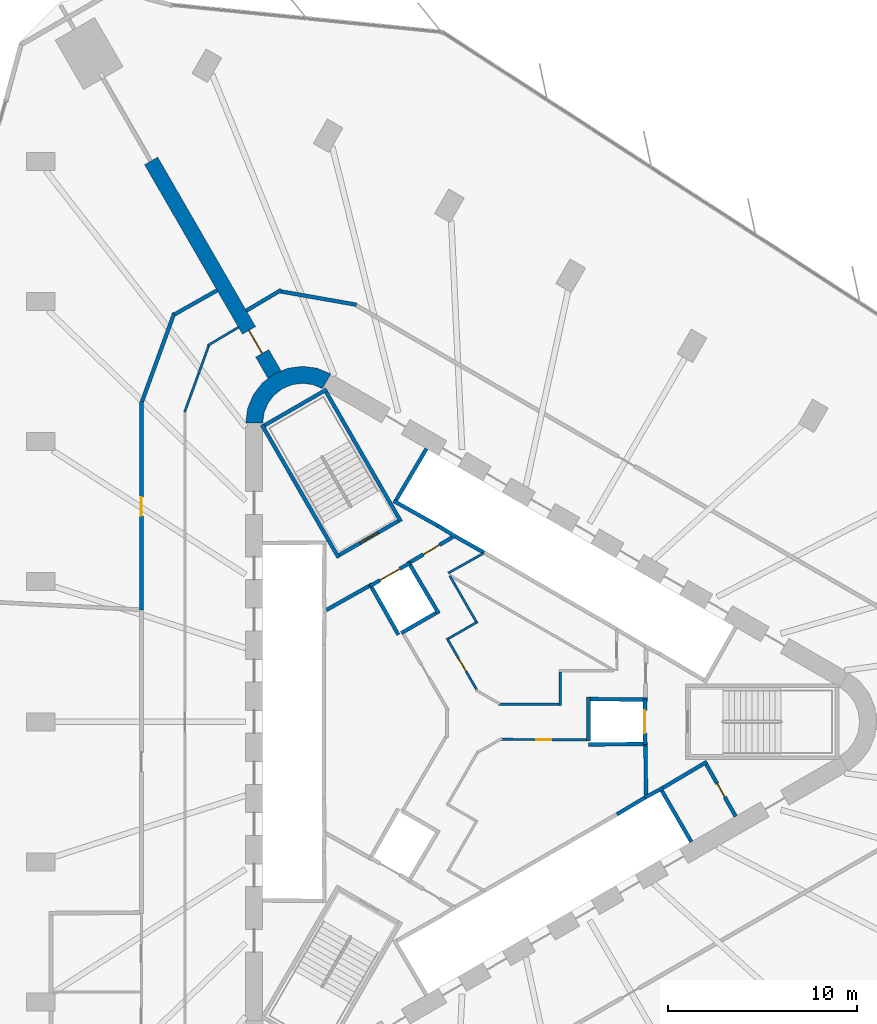
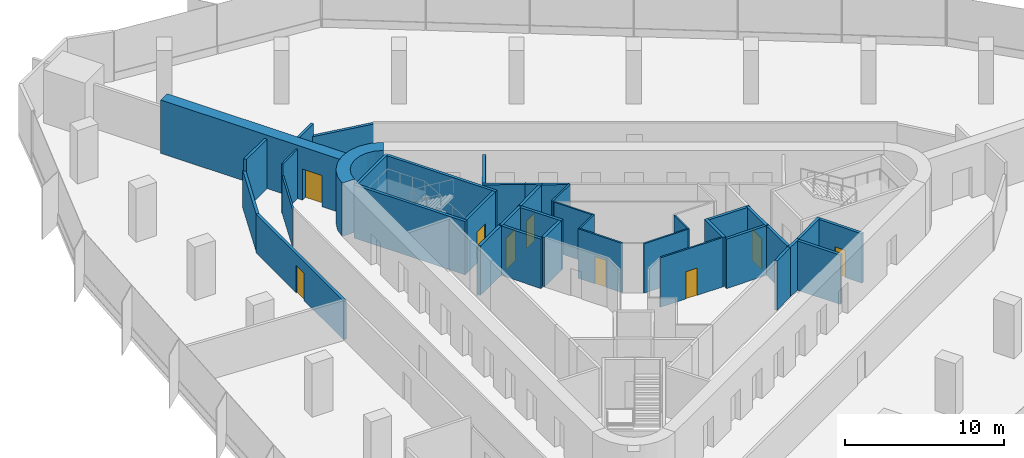
# One storey, part 11 of 14: 40 walls, 9 doors, 9 openings.
"""IFC4 building model written with IfcOpenShell, lengths in metres."""

from ifc_helpers import new_model, si_unit, direction, frame, frame_2d, origin, place, context, subcontext, project, spatial, polyline, rectangle, outline, extrude, material, layer, layer_set, type_object, element, fill, save


model = new_model("IFC4")

# Units and contexts
model_context = context("Model", 3, precision=1e-05, world=origin(), true_north=direction((0.0, 1.0)))
body_context = subcontext(model_context, "Body", "Model", "MODEL_VIEW")
ifc_project = project(units=[si_unit("LENGTHUNIT", "METRE"), si_unit("AREAUNIT", "SQUARE_METRE"), si_unit("VOLUMEUNIT", "CUBIC_METRE"), si_unit("PLANEANGLEUNIT", "RADIAN"), si_unit("MASSUNIT", "GRAM", prefix="KILO")], contexts=[model_context])

# Site, building, storey
site_placement = place(None, origin())
site = spatial("IfcSite", under=ifc_project, at=site_placement, CompositionType="ELEMENT")
building_placement = place(site_placement, origin())
building = spatial("IfcBuilding", under=site, at=building_placement, Name="Tanit Gate Tower", CompositionType="ELEMENT")
storey_placement = place(building_placement, frame((0.0, 0.0, 107.0)))
storey = spatial("IfcBuildingStorey", under=building, at=storey_placement, Name="L22", CompositionType="ELEMENT", Elevation=107.0)

# Wall, opening, door
ifc_material_1 = material(Name="Concrete C60/75", Category="concrete")
ifc_layer_1 = layer(ifc_material_1, 0.800048828125)
ifc_layer_set_1 = layer_set([ifc_layer_1], Name="BUTTRESS FIN 800 C60/75")
wall_type_1 = type_object("IfcWallType", Name="BUTTRESS FIN 800 C60/75", PredefinedType="SHEAR", material=ifc_layer_set_1)
wall_1_placement = place(storey_placement, frame((-10.574951171875, 18.31640625, 0.0), z_axis=(0.0, 0.0, 1.0), x_axis=(-0.500003112169, 0.866023606965, 0.0)))
wall_1 = element("IfcWall", 1, at=wall_1_placement, inside=storey, type_object=wall_type_1, Name="BUTTRESS FIN", PredefinedType="SHEAR", context=body_context, shape_type="SweptSolid", body=[
    extrude(rectangle(XDim=13.02685546875, YDim=0.800048828125, at=frame_2d((6.513427734375, 0.0))), origin(), (0.0, 0.0, 1.0), 4.10009765625),
])
opening_1_placement = place(wall_1_placement, frame((1.300048828125, 0.0, 0.0)))
opening_1 = element("IfcOpeningElement", 2, at=opening_1_placement, cuts=wall_1, Name="Opening P14-S05-F-NW-1", PredefinedType="OPENING", context=body_context, shape_type="SweptSolid", body=[
    extrude(rectangle(XDim=1.39990234375, YDim=2.39990234375, at=frame_2d((0.699951171875, 1.199951171875))), frame((0.0, 0.41015625, 0.0), z_axis=(0.0, -1.0, 0.0), x_axis=(1.0, 0.0, 0.0)), (0.0, 0.0, 1.0), 0.820068359375),
])
ifc_material_2 = material(Name="Timber door leaf", Category="wood")
door_type_1 = type_object("IfcDoorType", Name="INT-DOOR-FIN-PAIR-1400", OperationType="NOTDEFINED", PredefinedType="NOTDEFINED", material=ifc_material_2)
door_1_placement = place(opening_1_placement, origin())
door_1 = element("IfcDoor", 3, at=door_1_placement, inside=storey, type_object=door_type_1, Name="Door P14-S05-F-NW-1", OperationType="DOUBLE_DOOR_SINGLE_SWING", OverallHeight=2.39990234375, OverallWidth=1.39990234375, PredefinedType="NOTDEFINED", context=body_context, shape_type="SweptSolid", body=[
    extrude(rectangle(XDim=1.39990234375, YDim=2.39990234375, at=frame_2d((0.699951171875, 1.199951171875))), frame((0.0, 0.02490234375, 0.0), z_axis=(0.0, -1.0, 0.0), x_axis=(1.0, 0.0, 0.0)), (0.0, 0.0, 1.0), 0.050048828125),
])
fill(opening_1, door_1)

# Walls
ifc_material_3 = material(Name="Concrete C60/75", Category="concrete")
ifc_layer_2 = layer(ifc_material_3, 0.89990234375)
ifc_layer_set_2 = layer_set([ifc_layer_2], Name="CORE WALL 900 C60/75")
wall_type_2 = type_object("IfcWallType", Name="CORE WALL 900 C60/75", PredefinedType="SHEAR", material=ifc_layer_set_2)
wall_2_placement = place(storey_placement, origin())
element("IfcWall", 4, at=wall_2_placement, inside=storey, type_object=wall_type_2, Name="CORE WALL CORNER", PredefinedType="SHEAR", context=body_context, shape_type="SweptSolid", body=[
    extrude(outline(polyline([(-7.60009765625, 18.359619140625), (-8.323486328125, 18.659423828125), (-9.10009765625, 18.76171875), (-9.87646484375, 18.659423828125), (-10.60009765625, 18.359619140625), (-11.22119140625, 17.883056640625), (-11.697998046875, 17.26171875), (-11.997802734375, 16.5380859375), (-12.10009765625, 15.76171875), (-11.199951171875, 15.76171875), (-11.12841796875, 16.30517578125), (-10.918701171875, 16.811767578125), (-10.5849609375, 17.24658203125), (-10.14990234375, 17.580322265625), (-9.6435546875, 17.7900390625), (-9.10009765625, 17.86181640625), (-8.556396484375, 17.7900390625), (-8.050048828125, 17.580322265625), (-7.60009765625, 18.359619140625)])), origin(), (0.0, 0.0, 1.0), 4.10009765625),
])
ifc_material_4 = material(Name="Fire-rated gypsum board partition")
ifc_layer_3 = layer(ifc_material_4, 0.199951171875)
ifc_layer_set_3 = layer_set([ifc_layer_3], Name="INT-WALL-COMPARTMENT")
wall_type_3 = type_object("IfcWallType", Name="INT-WALL-COMPARTMENT", PredefinedType="PARTITIONING", material=ifc_layer_set_3)
wall_3_placement = place(storey_placement, frame((12.244873046875, -2.10888671875, 0.0), z_axis=(0.0, 0.0, 1.0), x_axis=(-0.860414880418, -0.509594185166, 0.0)))
element("IfcWall", 5, at=wall_3_placement, inside=storey, type_object=wall_type_3, Name="Wall Compartment W057", PredefinedType="PARTITIONING", context=body_context, shape_type="SweptSolid", body=[
    extrude(rectangle(XDim=2.7001953125, YDim=0.199951171875, at=frame_2d((1.35009765625, 0.0))), origin(), (0.0, 0.0, 1.0), 3.800048828125),
])

# Wall, opening, door
wall_4_placement = place(storey_placement, frame((13.758056640625, -4.989501953125, 0.0), z_axis=(0.0, 0.0, 1.0), x_axis=(-0.491993409184, 0.87059892334, 0.0)))
wall_4 = element("IfcWall", 6, at=wall_4_placement, inside=storey, type_object=wall_type_3, Name="Wall Compartment W058", PredefinedType="PARTITIONING", context=body_context, shape_type="SweptSolid", body=[
    extrude(rectangle(XDim=3.150146484375, YDim=0.199951171875, at=frame_2d((1.5751953125, 0.0))), origin(), (0.0, 0.0, 1.0), 3.800048828125),
])
opening_2_placement = place(wall_4_placement, frame((1.175048828125, 0.0, 0.0)))
opening_2 = element("IfcOpeningElement", 7, at=opening_2_placement, cuts=wall_4, Name="Opening R08-S05-14", PredefinedType="OPENING", context=body_context, shape_type="SweptSolid", body=[
    extrude(rectangle(XDim=0.800048828125, YDim=2.10009765625, at=frame_2d((0.39990234375, 1.050048828125))), frame((0.0, 0.10986328125, 0.0), z_axis=(0.0, -1.0, 0.0), x_axis=(1.0, 0.0, 0.0)), (0.0, 0.0, 1.0), 0.219970703125),
])
ifc_material_5 = material(Name="Timber door leaf", Category="wood")
door_type_2 = type_object("IfcDoorType", Name="INT-DOOR-RISER-800", OperationType="NOTDEFINED", PredefinedType="USERDEFINED", material=ifc_material_5)
door_2_placement = place(opening_2_placement, origin())
door_2 = element("IfcDoor", 8, at=door_2_placement, inside=storey, type_object=door_type_2, Name="Door R08-S05-14", ObjectType="FIRE DOOR", OperationType="SINGLE_SWING_LEFT", OverallHeight=2.10009765625, OverallWidth=0.800048828125, PredefinedType="USERDEFINED", context=body_context, shape_type="SweptSolid", body=[
    extrude(rectangle(XDim=0.800048828125, YDim=2.10009765625, at=frame_2d((0.39990234375, 1.050048828125))), frame((0.0, 0.02490234375, 0.0), z_axis=(0.0, -1.0, 0.0), x_axis=(1.0, 0.0, 0.0)), (0.0, 0.0, 1.0), 0.050048828125),
])
fill(opening_2, door_2)

# Walls
for number, where, z_axis, x_axis, name in (
    (9, (9.02880859375, -3.8505859375, 0.0), (0.0, 0.0, 1.0), (-0.010784614026, 0.999941844359, 0.0), "Wall Compartment W059"),
    (10, (-5.600341796875, 7.16015625, 0.0), (0.0, 0.0, 1.0), (-0.871340486379, -0.490678873396, 0.0), "Wall Compartment W061"),
):
    element("IfcWall", number, at=place(storey_placement, frame(where, z_axis=z_axis, x_axis=x_axis)), inside=storey, type_object=wall_type_3, Name=name, PredefinedType="PARTITIONING", context=body_context, shape_type="SweptSolid", body=[
        extrude(rectangle(XDim=2.580810546875, YDim=0.199951171875, at=frame_2d((1.29052734375, 0.0))), origin(), (0.0, 0.0, 1.0), 3.800048828125),
    ])

# Wall, opening, door
wall_5_placement = place(storey_placement, frame((-1.179443359375, 9.74462890625, 0.0), z_axis=(0.0, 0.0, 1.0), x_axis=(-0.860598681535, -0.509283721849, 0.0)))
wall_5 = element("IfcWall", 11, at=wall_5_placement, inside=storey, type_object=wall_type_3, Name="Wall Compartment W062", PredefinedType="PARTITIONING", context=body_context, shape_type="SweptSolid", body=[
    extrude(rectangle(XDim=2.5810546875, YDim=0.199951171875, at=frame_2d((1.29052734375, 0.0))), origin(), (0.0, 0.0, 1.0), 3.800048828125),
])
opening_3_placement = place(wall_5_placement, frame((0.79052734375, 0.0, 0.0)))
opening_3 = element("IfcOpeningElement", 12, at=opening_3_placement, cuts=wall_5, Name="Opening F10-S05-05", PredefinedType="OPENING", context=body_context, shape_type="SweptSolid", body=[
    extrude(rectangle(XDim=1.0, YDim=2.10009765625, at=frame_2d((0.5, 1.050048828125))), frame((0.0, 0.10986328125, 0.0), z_axis=(0.0, -1.0, 0.0), x_axis=(1.0, 0.0, 0.0)), (0.0, 0.0, 1.0), 0.219970703125),
])
ifc_material_6 = material(Name="Fire-rated steel door leaf", Category="steel")
door_type_3 = type_object("IfcDoorType", Name="INT-DOOR-FIRE-1000", OperationType="NOTDEFINED", PredefinedType="USERDEFINED", material=ifc_material_6)
door_3_placement = place(opening_3_placement, origin())
door_3 = element("IfcDoor", 13, at=door_3_placement, inside=storey, type_object=door_type_3, Name="Door F10-S05-05", ObjectType="FIRE DOOR", OperationType="SINGLE_SWING_LEFT", OverallHeight=2.10009765625, OverallWidth=1.0, PredefinedType="USERDEFINED", context=body_context, shape_type="SweptSolid", body=[
    extrude(rectangle(XDim=1.0, YDim=2.10009765625, at=frame_2d((0.5, 1.050048828125))), frame((0.0, 0.02490234375, 0.0), z_axis=(0.0, -1.0, 0.0), x_axis=(1.0, 0.0, 0.0)), (0.0, 0.0, 1.0), 0.050048828125),
])
fill(opening_3, door_3)

wall_6_placement = place(storey_placement, frame((-17.60009765625, 16.910888671875, 0.0), z_axis=(0.0, 0.0, 1.0), x_axis=(0.0, -1.0, 0.0)))
wall_6 = element("IfcWall", 14, at=wall_6_placement, inside=storey, type_object=wall_type_3, Name="Wall Compartment W092", PredefinedType="PARTITIONING", context=body_context, shape_type="SweptSolid", body=[
    extrude(rectangle(XDim=11.0224609375, YDim=0.199951171875, at=frame_2d((5.51123046875, 0.0))), origin(), (0.0, 0.0, 1.0), 2.97998046875),
])
opening_4_placement = place(wall_6_placement, frame((5.0498046875, 0.0, 0.0)))
opening_4 = element("IfcOpeningElement", 15, at=opening_4_placement, cuts=wall_6, Name="Opening F10-S05-21", PredefinedType="OPENING", context=body_context, shape_type="SweptSolid", body=[
    extrude(rectangle(XDim=1.0, YDim=2.10009765625, at=frame_2d((0.5, 1.050048828125))), frame((0.0, 0.10986328125, 0.0), z_axis=(0.0, -1.0, 0.0), x_axis=(1.0, 0.0, 0.0)), (0.0, 0.0, 1.0), 0.219970703125),
])
door_4_placement = place(opening_4_placement, origin())
door_4 = element("IfcDoor", 16, at=door_4_placement, inside=storey, type_object=door_type_3, Name="Door F10-S05-21", ObjectType="FIRE DOOR", OperationType="SINGLE_SWING_LEFT", OverallHeight=2.10009765625, OverallWidth=1.0, PredefinedType="USERDEFINED", context=body_context, shape_type="SweptSolid", body=[
    extrude(rectangle(XDim=1.0, YDim=2.10009765625, at=frame_2d((0.5, 1.050048828125))), frame((0.0, 0.02490234375, 0.0), z_axis=(0.0, -1.0, 0.0), x_axis=(1.0, 0.0, 0.0)), (0.0, 0.0, 1.0), 0.050048828125),
])
fill(opening_4, door_4)

# Walls
wall_7_placement = place(storey_placement, frame((-15.864013671875, 21.58056640625, 0.0), z_axis=(0.0, 0.0, 1.0), x_axis=(-0.342030631204, -0.939688803444, 0.0)))
element("IfcWall", 17, at=wall_7_placement, inside=storey, type_object=wall_type_3, Name="Wall Compartment W093", PredefinedType="PARTITIONING", context=body_context, shape_type="SweptSolid", body=[
    extrude(rectangle(XDim=4.975830078125, YDim=0.199951171875, at=frame_2d((2.48779296875, 0.0))), origin(), (0.0, 0.0, 1.0), 2.8798828125),
])
wall_8_placement = place(storey_placement, frame((-13.6064453125, 22.76708984375, 0.0), z_axis=(0.0, 0.0, 1.0), x_axis=(-0.870922595713, -0.491420219645, 0.0)))
element("IfcWall", 18, at=wall_8_placement, inside=storey, type_object=wall_type_3, Name="Wall Compartment W094", PredefinedType="PARTITIONING", context=body_context, shape_type="SweptSolid", body=[
    extrude(rectangle(XDim=2.58935546875, YDim=0.199951171875, at=frame_2d((1.294677734375, 0.0))), origin(), (0.0, 0.0, 1.0), 3.800048828125),
])
wall_9_placement = place(storey_placement, frame((-10.228271484375, 22.786376953125, 0.0), z_axis=(0.0, 0.0, 1.0), x_axis=(-0.859754348804, -0.510707802674, 0.0)))
element("IfcWall", 19, at=wall_9_placement, inside=storey, type_object=wall_type_3, Name="Wall Compartment W099", PredefinedType="PARTITIONING", context=body_context, shape_type="SweptSolid", body=[
    extrude(rectangle(XDim=2.135498046875, YDim=0.199951171875, at=frame_2d((1.06787109375, 0.0))), origin(), (0.0, 0.0, 1.0), 3.800048828125),
])
wall_10_placement = place(storey_placement, frame((-6.25048828125, 22.008056640625, 0.0), z_axis=(0.0, 0.0, 1.0), x_axis=(-0.984810577443, 0.173632158762, 0.0)))
element("IfcWall", 20, at=wall_10_placement, inside=storey, type_object=wall_type_3, Name="Wall Compartment W100", PredefinedType="PARTITIONING", context=body_context, shape_type="SweptSolid", body=[
    extrude(rectangle(XDim=4.091796875, YDim=0.199951171875, at=frame_2d((2.0458984375, 0.0))), origin(), (0.0, 0.0, 1.0), 2.8798828125),
])

# Wall, opening, door
ifc_material_7 = material(Name="Gypsum board partition")
ifc_layer_4 = layer(ifc_material_7, 0.1201171875)
ifc_layer_set_4 = layer_set([ifc_layer_4], Name="INT-WALL-PARTITION")
wall_type_4 = type_object("IfcWallType", Name="INT-WALL-PARTITION", PredefinedType="PARTITIONING", material=ifc_layer_set_4)
wall_11_placement = place(storey_placement, frame((5.89990234375, -0.953857421875, 0.0), z_axis=(0.0, 0.0, 1.0), x_axis=(-0.999979855239, 0.006347370786, 0.0)))
wall_11 = element("IfcWall", 21, at=wall_11_placement, inside=storey, type_object=wall_type_4, Name="Wall Partition W073", PredefinedType="PARTITIONING", context=body_context, shape_type="SweptSolid", body=[
    extrude(rectangle(XDim=4.53857421875, YDim=0.1201171875, at=frame_2d((2.269287109375, 0.0))), origin(), (0.0, 0.0, 1.0), 3.800048828125),
])
opening_5_placement = place(wall_11_placement, frame((1.869384765625, 0.0, 0.0)))
opening_5 = element("IfcOpeningElement", 22, at=opening_5_placement, cuts=wall_11, Name="Opening R08-S05-11", PredefinedType="OPENING", context=body_context, shape_type="SweptSolid", body=[
    extrude(rectangle(XDim=0.800048828125, YDim=2.10009765625, at=frame_2d((0.39990234375, 1.050048828125))), frame((0.0, 0.070068359375, 0.0), z_axis=(0.0, -1.0, 0.0), x_axis=(1.0, 0.0, 0.0)), (0.0, 0.0, 1.0), 0.14013671875),
])
door_5_placement = place(opening_5_placement, origin())
door_5 = element("IfcDoor", 23, at=door_5_placement, inside=storey, type_object=door_type_2, Name="Door R08-S05-11", ObjectType="FIRE DOOR", OperationType="SINGLE_SWING_LEFT", OverallHeight=2.10009765625, OverallWidth=0.800048828125, PredefinedType="USERDEFINED", context=body_context, shape_type="SweptSolid", body=[
    extrude(rectangle(XDim=0.800048828125, YDim=2.10009765625, at=frame_2d((0.39990234375, 1.050048828125))), frame((0.0, 0.02490234375, 0.0), z_axis=(0.0, -1.0, 0.0), x_axis=(1.0, 0.0, 0.0)), (0.0, 0.0, 1.0), 0.050048828125),
])
fill(opening_5, door_5)

# Walls
wall_12_placement = place(storey_placement, frame((0.475341796875, 8.9052734375, 0.0), z_axis=(0.0, 0.0, 1.0), x_axis=(-0.871843519779, -0.489784521009, 0.0)))
element("IfcWall", 24, at=wall_12_placement, inside=storey, type_object=wall_type_4, Name="Wall Partition W075", PredefinedType="PARTITIONING", context=body_context, shape_type="SweptSolid", body=[
    extrude(rectangle(XDim=2.164306640625, YDim=0.1201171875, at=frame_2d((1.08203125, 0.0))), origin(), (0.0, 0.0, 1.0), 3.800048828125),
])
wall_13_placement = place(storey_placement, frame((4.5, 0.864990234375, 0.0), z_axis=(0.0, 0.0, 1.0), x_axis=(0.0, 1.0, 0.0)))
element("IfcWall", 25, at=wall_13_placement, inside=storey, type_object=wall_type_4, Name="Wall Partition W078", PredefinedType="PARTITIONING", context=body_context, shape_type="SweptSolid", body=[
    extrude(rectangle(XDim=1.77490234375, YDim=0.1201171875, at=frame_2d((0.887451171875, 0.0))), origin(), (0.0, 0.0, 1.0), 3.800048828125),
])
wall_14_placement = place(storey_placement, frame((1.238525390625, 0.925048828125, 0.0), z_axis=(0.0, 0.0, 1.0), x_axis=(1.0, 0.0, 0.0)))
element("IfcWall", 26, at=wall_14_placement, inside=storey, type_object=wall_type_4, Name="Wall Partition W079", PredefinedType="PARTITIONING", context=body_context, shape_type="SweptSolid", body=[
    extrude(rectangle(XDim=3.201416015625, YDim=0.1201171875, at=frame_2d((1.6005859375, 0.0))), origin(), (0.0, 0.0, 1.0), 3.800048828125),
])

# Wall, opening, door
wall_15_placement = place(storey_placement, frame((-1.47900390625, 4.41162109375, 0.0), z_axis=(0.0, 0.0, 1.0), x_axis=(0.500013115284, -0.866017831539, 0.0)))
wall_15 = element("IfcWall", 27, at=wall_15_placement, inside=storey, type_object=wall_type_4, Name="Wall Partition W081", PredefinedType="PARTITIONING", context=body_context, shape_type="SweptSolid", body=[
    extrude(rectangle(XDim=3.19921875, YDim=0.1201171875, at=frame_2d((1.599609375, 0.0))), origin(), (0.0, 0.0, 1.0), 3.800048828125),
])
opening_6_placement = place(wall_15_placement, frame((1.2294921875, 0.0, 0.0)))
opening_6 = element("IfcOpeningElement", 28, at=opening_6_placement, cuts=wall_15, Name="Opening R08-S05-13", PredefinedType="OPENING", context=body_context, shape_type="SweptSolid", body=[
    extrude(rectangle(XDim=0.800048828125, YDim=2.10009765625, at=frame_2d((0.39990234375, 1.050048828125))), frame((0.0, 0.070068359375, 0.0), z_axis=(0.0, -1.0, 0.0), x_axis=(1.0, 0.0, 0.0)), (0.0, 0.0, 1.0), 0.14013671875),
])
door_6_placement = place(opening_6_placement, origin())
door_6 = element("IfcDoor", 29, at=door_6_placement, inside=storey, type_object=door_type_2, Name="Door R08-S05-13", ObjectType="FIRE DOOR", OperationType="SINGLE_SWING_RIGHT", OverallHeight=2.10009765625, OverallWidth=0.800048828125, PredefinedType="USERDEFINED", context=body_context, shape_type="SweptSolid", body=[
    extrude(rectangle(XDim=0.800048828125, YDim=2.10009765625, at=frame_2d((0.39990234375, 1.050048828125))), frame((0.0, 0.02490234375, 0.0), z_axis=(0.0, -1.0, 0.0), x_axis=(1.0, 0.0, 0.0)), (0.0, 0.0, 1.0), 0.050048828125),
])
fill(opening_6, door_6)

# Walls
wall_16_placement = place(storey_placement, frame((0.14013671875, 5.277099609375, 0.0), z_axis=(0.0, 0.0, 1.0), x_axis=(-0.866025242659, -0.500000279077, 0.0)))
element("IfcWall", 30, at=wall_16_placement, inside=storey, type_object=wall_type_4, Name="Wall Partition W082", PredefinedType="PARTITIONING", context=body_context, shape_type="SweptSolid", body=[
    extrude(rectangle(XDim=1.77490234375, YDim=0.1201171875, at=frame_2d((0.887451171875, 0.0))), origin(), (0.0, 0.0, 1.0), 3.800048828125),
])
wall_17_placement = place(storey_placement, frame((-1.330078125, 7.703857421875, 0.0), z_axis=(0.0, 0.0, 1.0), x_axis=(0.500006584067, -0.866021602438, 0.0)))
element("IfcWall", 31, at=wall_17_placement, inside=storey, type_object=wall_type_4, Name="Wall Partition W083", PredefinedType="PARTITIONING", context=body_context, shape_type="SweptSolid", body=[
    extrude(rectangle(XDim=2.77685546875, YDim=0.1201171875, at=frame_2d((1.388427734375, 0.0))), origin(), (0.0, 0.0, 1.0), 3.800048828125),
])
wall_18_placement = place(storey_placement, frame((-12.481689453125, 20.819091796875, 0.0), z_axis=(0.0, 0.0, 1.0), x_axis=(-0.85913200524, -0.511754040113, 0.0)))
element("IfcWall", 32, at=wall_18_placement, inside=storey, type_object=wall_type_4, Name="Wall Partition W084", PredefinedType="PARTITIONING", context=body_context, shape_type="SweptSolid", body=[
    extrude(rectangle(XDim=1.87451171875, YDim=0.1201171875, at=frame_2d((0.937255859375, 0.0))), origin(), (0.0, 0.0, 1.0), 3.800048828125),
])
wall_19_placement = place(storey_placement, frame((-14.038330078125, 19.87158203125, 0.0), z_axis=(0.0, 0.0, 1.0), x_axis=(-0.342035870777, -0.939686896313, 0.0)))
element("IfcWall", 33, at=wall_19_placement, inside=storey, type_object=wall_type_4, Name="Wall Partition W085", PredefinedType="PARTITIONING", context=body_context, shape_type="SweptSolid", body=[
    extrude(rectangle(XDim=3.748779296875, YDim=0.1201171875, at=frame_2d((1.87451171875, 0.0))), origin(), (0.0, 0.0, 1.0), 2.8798828125),
])
ifc_material_8 = material(Name="Gypsum shaft wall system")
ifc_layer_5 = layer(ifc_material_8, 0.199951171875)
ifc_layer_set_5 = layer_set([ifc_layer_5], Name="INT-WALL-SHAFT")
wall_type_5 = type_object("IfcWallType", Name="INT-WALL-SHAFT", PredefinedType="PLUMBINGWALL", material=ifc_layer_set_5)
wall_20_placement = place(storey_placement, frame((-1.940673828125, 10.338623046875, 0.0), z_axis=(0.0, 0.0, 1.0), x_axis=(0.850216889117, -0.526432561171, 0.0)))
element("IfcWall", 34, at=wall_20_placement, inside=storey, type_object=wall_type_5, Name="Wall Shaft W019", PredefinedType="PLUMBINGWALL", context=body_context, shape_type="SweptSolid", body=[
    extrude(rectangle(XDim=1.078369140625, YDim=0.199951171875, at=frame_2d((0.5390625, 0.0))), origin(), (0.0, 0.0, 1.0), 3.800048828125),
])
wall_21_placement = place(storey_placement, frame((0.478271484375, 8.928466796875, 0.0), z_axis=(0.0, 0.0, 1.0), x_axis=(-0.871988740738, 0.489525929882, 0.0)))
element("IfcWall", 35, at=wall_21_placement, inside=storey, type_object=wall_type_5, Name="Wall Shaft W020", PredefinedType="PLUMBINGWALL", context=body_context, shape_type="SweptSolid", body=[
    extrude(rectangle(XDim=1.8447265625, YDim=0.199951171875, at=frame_2d((0.92236328125, 0.0))), origin(), (0.0, 0.0, 1.0), 3.800048828125),
])
wall_22_placement = place(storey_placement, frame((-4.296142578125, 11.658935546875, 0.0), z_axis=(0.0, 0.0, 1.0), x_axis=(0.871534483978, -0.490334215854, 0.0)))
element("IfcWall", 36, at=wall_22_placement, inside=storey, type_object=wall_type_5, Name="Wall Shaft W021", PredefinedType="PLUMBINGWALL", context=body_context, shape_type="SweptSolid", body=[
    extrude(rectangle(XDim=2.7001953125, YDim=0.199951171875, at=frame_2d((1.35009765625, 0.0))), origin(), (0.0, 0.0, 1.0), 3.800048828125),
])
wall_23_placement = place(storey_placement, frame((-4.158203125, 11.696044921875, 0.0), z_axis=(0.0, 0.0, 1.0), x_axis=(0.508018930956, 0.861345903683, 0.0)))
element("IfcWall", 37, at=wall_23_placement, inside=storey, type_object=wall_type_5, Name="Wall Shaft W022", PredefinedType="PLUMBINGWALL", context=body_context, shape_type="SweptSolid", body=[
    extrude(rectangle(XDim=3.150146484375, YDim=0.199951171875, at=frame_2d((1.5751953125, 0.0))), origin(), (0.0, 0.0, 1.0), 3.800048828125),
])
wall_24_placement = place(storey_placement, frame((9.794677734375, -3.52490234375, 0.0), z_axis=(0.0, 0.0, 1.0), x_axis=(0.499984717929, -0.866034226713, 0.0)))
element("IfcWall", 38, at=wall_24_placement, inside=storey, type_object=wall_type_5, Name="Wall Shaft W024", PredefinedType="PLUMBINGWALL", context=body_context, shape_type="SweptSolid", body=[
    extrude(rectangle(XDim=3.25, YDim=0.199951171875, at=frame_2d((1.625, 0.0))), origin(), (0.0, 0.0, 1.0), 3.800048828125),
])
wall_25_placement = place(storey_placement, frame((8.97412109375, -3.998779296875, 0.0), z_axis=(0.0, 0.0, 1.0), x_axis=(0.880907015104, 0.473289373154, 0.0)))
element("IfcWall", 39, at=wall_25_placement, inside=storey, type_object=wall_type_5, Name="Wall Shaft W025", PredefinedType="PLUMBINGWALL", context=body_context, shape_type="SweptSolid", body=[
    extrude(rectangle(XDim=1.078125, YDim=0.199951171875, at=frame_2d((0.5390625, 0.0))), origin(), (0.0, 0.0, 1.0), 3.800048828125),
])
wall_26_placement = place(storey_placement, frame((7.497314453125, -4.885986328125, 0.0), z_axis=(0.0, 0.0, 1.0), x_axis=(0.857516281273, 0.51445682749, 0.0)))
element("IfcWall", 40, at=wall_26_placement, inside=storey, type_object=wall_type_5, Name="Wall Shaft W026", PredefinedType="PLUMBINGWALL", context=body_context, shape_type="SweptSolid", body=[
    extrude(rectangle(XDim=1.8447265625, YDim=0.199951171875, at=frame_2d((0.92236328125, 0.0))), origin(), (0.0, 0.0, 1.0), 3.800048828125),
])

# Wall, opening, door
wall_27_placement = place(storey_placement, frame((8.969970703125, 1.199951171875, 0.0), z_axis=(0.0, 0.0, 1.0), x_axis=(0.0, -1.0, 0.0)))
wall_27 = element("IfcWall", 41, at=wall_27_placement, inside=storey, type_object=wall_type_5, Name="Wall Shaft W037", PredefinedType="PLUMBINGWALL", context=body_context, shape_type="SweptSolid", body=[
    extrude(rectangle(XDim=2.39990234375, YDim=0.199951171875, at=frame_2d((1.199951171875, 0.0))), origin(), (0.0, 0.0, 1.0), 3.800048828125),
])
opening_7_placement = place(wall_27_placement, frame((0.60009765625, 0.0, 0.0)))
opening_7 = element("IfcOpeningElement", 42, at=opening_7_placement, cuts=wall_27, Name="Opening LDFL1-L22", PredefinedType="OPENING", context=body_context, shape_type="SweptSolid", body=[
    extrude(rectangle(XDim=1.199951171875, YDim=2.39990234375, at=frame_2d((0.60009765625, 1.199951171875))), frame((0.0, 0.10986328125, 0.0), z_axis=(0.0, -1.0, 0.0), x_axis=(1.0, 0.0, 0.0)), (0.0, 0.0, 1.0), 0.219970703125),
])
ifc_material_9 = material(Name="Stainless steel sliding door leaf", Category="steel")
door_type_4 = type_object("IfcDoorType", Name="INT-DOOR-LANDING-1200", OperationType="NOTDEFINED", PredefinedType="USERDEFINED", material=ifc_material_9)
door_7_placement = place(opening_7_placement, origin())
door_7 = element("IfcDoor", 43, at=door_7_placement, inside=storey, type_object=door_type_4, Name="Door LDFL1-L22", ObjectType="LANDING DOOR", OperationType="SLIDING_TO_LEFT", OverallHeight=2.39990234375, OverallWidth=1.199951171875, PredefinedType="USERDEFINED", context=body_context, shape_type="SweptSolid", body=[
    extrude(rectangle(XDim=1.199951171875, YDim=2.39990234375, at=frame_2d((0.60009765625, 1.199951171875))), frame((0.0, 0.02490234375, 0.0), z_axis=(0.0, -1.0, 0.0), x_axis=(1.0, 0.0, 0.0)), (0.0, 0.0, 1.0), 0.050048828125),
])
fill(opening_7, door_7)

# Walls
wall_28_placement = place(storey_placement, frame((9.10009765625, -1.1689453125, 0.0), z_axis=(0.0, 0.0, 1.0), x_axis=(-0.999949988, -0.010001074852, 0.0)))
element("IfcWall", 44, at=wall_28_placement, inside=storey, type_object=wall_type_5, Name="Wall Shaft W038", PredefinedType="PLUMBINGWALL", context=body_context, shape_type="SweptSolid", body=[
    extrude(rectangle(XDim=3.100341796875, YDim=0.199951171875, at=frame_2d((1.55029296875, 0.0))), origin(), (0.0, 0.0, 1.0), 3.800048828125),
])
wall_29_placement = place(storey_placement, frame((6.0, -1.014404296875, 0.0), z_axis=(0.0, 0.0, 1.0), x_axis=(0.0, 1.0, 0.0)))
element("IfcWall", 45, at=wall_29_placement, inside=storey, type_object=wall_type_5, Name="Wall Shaft W039", PredefinedType="PLUMBINGWALL", context=body_context, shape_type="SweptSolid", body=[
    extrude(rectangle(XDim=2.314453125, YDim=0.199951171875, at=frame_2d((1.1572265625, 0.0))), origin(), (0.0, 0.0, 1.0), 3.800048828125),
])
wall_30_placement = place(storey_placement, frame((9.10009765625, 1.1689453125, 0.0), z_axis=(0.0, 0.0, 1.0), x_axis=(-0.99994990606, 0.010009264196, 0.0)))
element("IfcWall", 46, at=wall_30_placement, inside=storey, type_object=wall_type_5, Name="Wall Shaft W040", PredefinedType="PLUMBINGWALL", context=body_context, shape_type="SweptSolid", body=[
    extrude(rectangle(XDim=3.000244140625, YDim=0.199951171875, at=frame_2d((1.5, 0.0))), origin(), (0.0, 0.0, 1.0), 3.800048828125),
])

# Wall, opening, door
wall_31_placement = place(storey_placement, frame((-5.524169921875, 7.168212890625, 0.0), z_axis=(0.0, 0.0, 1.0), x_axis=(0.866024647952, 0.500001309137, 0.0)))
wall_31 = element("IfcWall", 47, at=wall_31_placement, inside=storey, type_object=wall_type_5, Name="Wall Shaft W045", PredefinedType="PLUMBINGWALL", context=body_context, shape_type="SweptSolid", body=[
    extrude(rectangle(XDim=2.39990234375, YDim=0.199951171875, at=frame_2d((1.199951171875, 0.0))), origin(), (0.0, 0.0, 1.0), 3.800048828125),
])
opening_8_placement = place(wall_31_placement, frame((0.60009765625, 0.0, 0.0)))
opening_8 = element("IfcOpeningElement", 48, at=opening_8_placement, cuts=wall_31, Name="Opening LDFL2-L22", PredefinedType="OPENING", context=body_context, shape_type="SweptSolid", body=[
    extrude(rectangle(XDim=1.199951171875, YDim=2.39990234375, at=frame_2d((0.60009765625, 1.199951171875))), frame((0.0, 0.10986328125, 0.0), z_axis=(0.0, -1.0, 0.0), x_axis=(1.0, 0.0, 0.0)), (0.0, 0.0, 1.0), 0.219970703125),
])
door_8_placement = place(opening_8_placement, origin())
door_8 = element("IfcDoor", 49, at=door_8_placement, inside=storey, type_object=door_type_4, Name="Door LDFL2-L22", ObjectType="LANDING DOOR", OperationType="SLIDING_TO_LEFT", OverallHeight=2.39990234375, OverallWidth=1.199951171875, PredefinedType="USERDEFINED", context=body_context, shape_type="SweptSolid", body=[
    extrude(rectangle(XDim=1.199951171875, YDim=2.39990234375, at=frame_2d((0.60009765625, 1.199951171875))), frame((0.0, 0.02490234375, 0.0), z_axis=(0.0, -1.0, 0.0), x_axis=(1.0, 0.0, 0.0)), (0.0, 0.0, 1.0), 0.050048828125),
])
fill(opening_8, door_8)

# Walls
wall_32_placement = place(storey_placement, frame((-4.039306640625, 4.59619140625, 0.0), z_axis=(0.0, 0.0, 1.0), x_axis=(-0.491322718731, 0.870977603649, 0.0)))
element("IfcWall", 50, at=wall_32_placement, inside=storey, type_object=wall_type_5, Name="Wall Shaft W046", PredefinedType="PLUMBINGWALL", context=body_context, shape_type="SweptSolid", body=[
    extrude(rectangle(XDim=3.10009765625, YDim=0.199951171875, at=frame_2d((1.550048828125, 0.0))), origin(), (0.0, 0.0, 1.0), 3.800048828125),
])
wall_33_placement = place(storey_placement, frame((-3.53759765625, 8.46533203125, 0.0), z_axis=(0.0, 0.0, 1.0), x_axis=(0.508616218331, -0.860993346345, 0.0)))
element("IfcWall", 51, at=wall_33_placement, inside=storey, type_object=wall_type_5, Name="Wall Shaft W047", PredefinedType="PLUMBINGWALL", context=body_context, shape_type="SweptSolid", body=[
    extrude(rectangle(XDim=3.2001953125, YDim=0.199951171875, at=frame_2d((1.60009765625, 0.0))), origin(), (0.0, 0.0, 1.0), 3.800048828125),
])
wall_34_placement = place(storey_placement, frame((-2.04736328125, 5.74609375, 0.0), z_axis=(0.0, 0.0, 1.0), x_axis=(-0.866040491692, -0.499973866067, 0.0)))
element("IfcWall", 52, at=wall_34_placement, inside=storey, type_object=wall_type_5, Name="Wall Shaft W048", PredefinedType="PLUMBINGWALL", context=body_context, shape_type="SweptSolid", body=[
    extrude(rectangle(XDim=2.12939453125, YDim=0.199951171875, at=frame_2d((1.064697265625, 0.0))), origin(), (0.0, 0.0, 1.0), 3.800048828125),
])
ifc_material_10 = material(Name="Concrete C40/50", Category="concrete")
ifc_layer_6 = layer(ifc_material_10, 0.199951171875)
ifc_layer_set_6 = layer_set([ifc_layer_6], Name="INT-WALL-STAIR")
wall_type_6 = type_object("IfcWallType", Name="INT-WALL-STAIR", PredefinedType="SHEAR", material=ifc_layer_set_6)
wall_35_placement = place(storey_placement, frame((-11.245361328125, 15.677734375, -0.300048828125), z_axis=(0.0, 0.0, 1.0), x_axis=(0.499977274689, -0.866038523851, 0.0)))
element("IfcWall", 53, at=wall_35_placement, inside=storey, type_object=wall_type_6, Name="Wall Stair W041", PredefinedType="SHEAR", context=body_context, shape_type="SweptSolid", body=[
    extrude(rectangle(XDim=8.10009765625, YDim=0.199951171875, at=frame_2d((4.050048828125, 0.0))), origin(), (0.0, 0.0, 1.0), 4.10009765625),
])
wall_36_placement = place(storey_placement, frame((-7.81787109375, 17.541015625, -0.300048828125), z_axis=(0.0, 0.0, 1.0), x_axis=(-0.866044365799, -0.499967155389, 0.0)))
element("IfcWall", 54, at=wall_36_placement, inside=storey, type_object=wall_type_6, Name="Wall Stair W042", PredefinedType="SHEAR", context=body_context, shape_type="SweptSolid", body=[
    extrude(rectangle(XDim=3.800048828125, YDim=0.199951171875, at=frame_2d((1.89990234375, 0.0))), origin(), (0.0, 0.0, 1.0), 4.10009765625),
])
wall_37_placement = place(storey_placement, frame((-7.8544921875, 17.404541015625, -0.300048828125), z_axis=(0.0, 0.0, 1.0), x_axis=(0.499997992926, -0.866026562566, 0.0)))
element("IfcWall", 55, at=wall_37_placement, inside=storey, type_object=wall_type_6, Name="Wall Stair W043", PredefinedType="SHEAR", context=body_context, shape_type="SweptSolid", body=[
    extrude(rectangle(XDim=7.89990234375, YDim=0.199951171875, at=frame_2d((3.949951171875, 0.0))), origin(), (0.0, 0.0, 1.0), 4.10009765625),
])

# Wall, opening, door
wall_38_placement = place(storey_placement, frame((-7.158935546875, 8.799560546875, -0.300048828125), z_axis=(0.0, 0.0, 1.0), x_axis=(0.866047807691, 0.499961193289, 0.0)))
wall_38 = element("IfcWall", 56, at=wall_38_placement, inside=storey, type_object=wall_type_6, Name="Wall Stair W044", PredefinedType="SHEAR", context=body_context, shape_type="SweptSolid", body=[
    extrude(rectangle(XDim=3.599853515625, YDim=0.199951171875, at=frame_2d((1.7998046875, 0.0))), origin(), (0.0, 0.0, 1.0), 4.10009765625),
])
opening_9_placement = place(wall_38_placement, frame((1.25, 0.0, 0.300048828125)))
opening_9 = element("IfcOpeningElement", 57, at=opening_9_placement, cuts=wall_38, Name="Opening S11-S05-04", PredefinedType="OPENING", context=body_context, shape_type="SweptSolid", body=[
    extrude(rectangle(XDim=1.10009765625, YDim=2.10009765625, at=frame_2d((0.550048828125, 1.050048828125))), frame((0.0, 0.10986328125, 0.0), z_axis=(0.0, -1.0, 0.0), x_axis=(1.0, 0.0, 0.0)), (0.0, 0.0, 1.0), 0.219970703125),
])
ifc_material_11 = material(Name="Timber door leaf", Category="wood")
door_type_5 = type_object("IfcDoorType", Name="INT-DOOR-STAIR-1100", OperationType="NOTDEFINED", PredefinedType="USERDEFINED", material=ifc_material_11)
door_9_placement = place(opening_9_placement, origin())
door_9 = element("IfcDoor", 58, at=door_9_placement, inside=storey, type_object=door_type_5, Name="Door S11-S05-04", ObjectType="FIRE DOOR", OperationType="SINGLE_SWING_LEFT", OverallHeight=2.10009765625, OverallWidth=1.10009765625, PredefinedType="USERDEFINED", context=body_context, shape_type="SweptSolid", body=[
    extrude(rectangle(XDim=1.10009765625, YDim=2.10009765625, at=frame_2d((0.550048828125, 1.050048828125))), frame((0.0, 0.02490234375, 0.0), z_axis=(0.0, -1.0, 0.0), x_axis=(1.0, 0.0, 0.0)), (0.0, 0.0, 1.0), 0.050048828125),
])
fill(opening_9, door_9)

save(model, "model.ifc")
